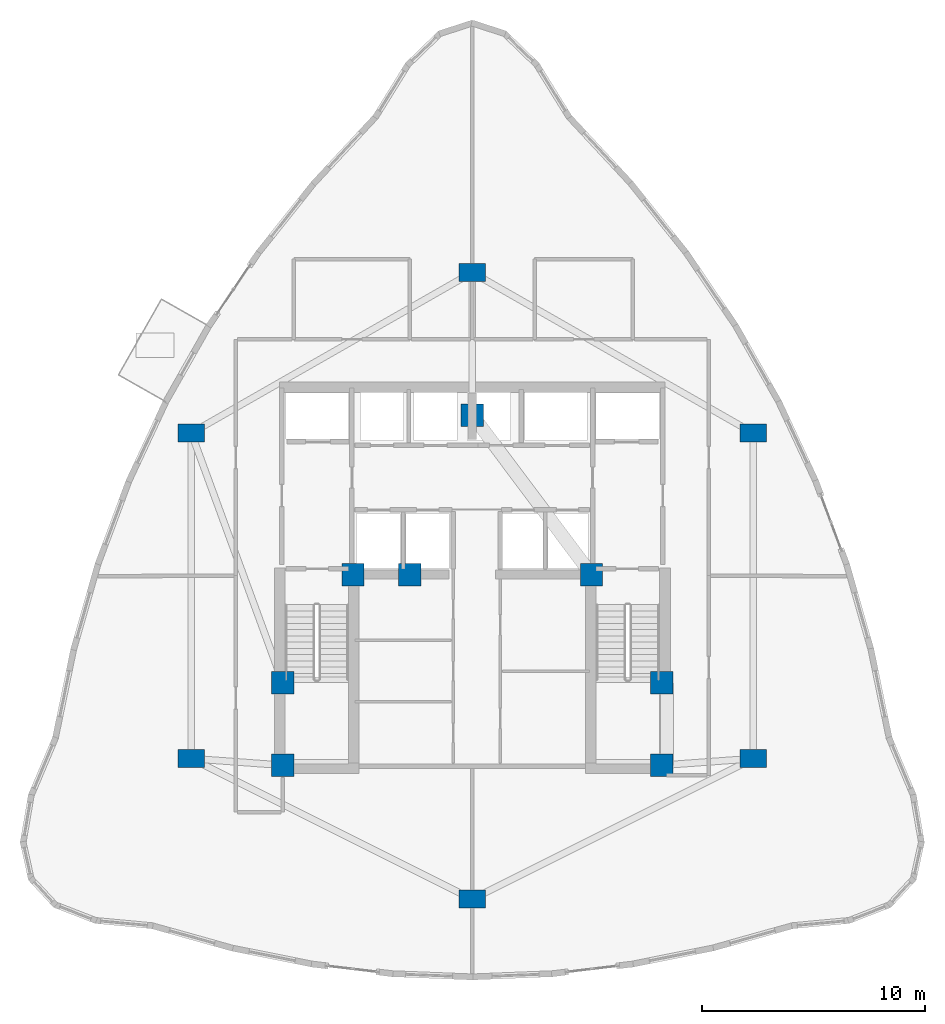
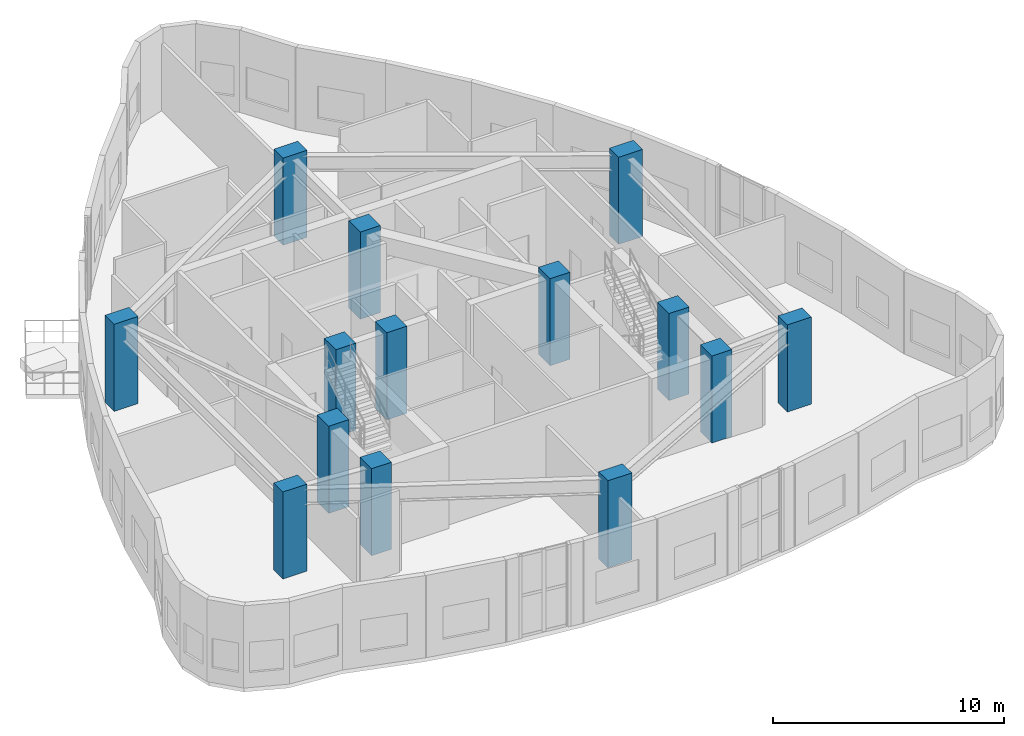
# One storey, part 1 of 14: 14 columns.
"""IFC4 building model written with IfcOpenShell, lengths in metres."""

from ifc_helpers import new_model, si_unit, direction, frame, origin, origin_2d, place, context, subcontext, project, spatial, rectangle, extrude, material, material_profile, profile_set, type_object, element, save


model = new_model("IFC4")

# Units and contexts
model_context = context("Model", 3, precision=1e-05, world=origin(), true_north=direction((0.0, 1.0)))
body_context = subcontext(model_context, "Body", "Model", "MODEL_VIEW")
ifc_project = project(units=[si_unit("LENGTHUNIT", "METRE"), si_unit("AREAUNIT", "SQUARE_METRE"), si_unit("VOLUMEUNIT", "CUBIC_METRE"), si_unit("PLANEANGLEUNIT", "RADIAN"), si_unit("MASSUNIT", "GRAM", prefix="KILO")], contexts=[model_context])

# Site, building, storey
site_placement = place(None, origin())
site = spatial("IfcSite", under=ifc_project, at=site_placement, CompositionType="ELEMENT")
building_placement = place(site_placement, origin())
building = spatial("IfcBuilding", under=site, at=building_placement, Name="Miruveldt Soraemaru", CompositionType="ELEMENT")
storey_placement = place(building_placement, frame((0.0, 0.0, 189.800048828125)))
storey = spatial("IfcBuildingStorey", under=building, at=storey_placement, Name="L52", CompositionType="ELEMENT", Elevation=189.800048828125)

# Columns
ifc_material_1 = material(Name="Concrete C60/75 (60 MPa)", Category="concrete")
ifc_material_profile_1 = material_profile(ifc_material_1, rectangle(XDim=1.0, YDim=1.0, at=origin_2d()), Name="Concrete C60/75 (60 MPa)", Category="concrete")
ifc_profile_set_1 = profile_set([ifc_material_profile_1], Name="Concrete C60/75 (60 MPa)")
column_type_1 = type_object("IfcColumnType", Name="COL-CORE-1000", PredefinedType="COLUMN", material=ifc_profile_set_1)
for number, where, z_axis, x_axis, name in (
    (1, (35.5, 35.5, 0.0), (0.0, 0.0, 1.0), (1.0, 0.0, 0.0), "L52 Structural Column CC1"),
    (2, (38.64990234375, 44.050048828125, 0.0), (0.0, 0.0, 1.0), (1.0, 0.0, 0.0), "L52 Structural Column CC2"),
    (3, (52.5, 35.5, 0.0), (0.0, 0.0, 1.0), (1.0, 0.0, 0.0), "L52 Structural Column CC3"),
    (4, (52.5, 39.199951171875, 0.0), (0.0, 0.0, 1.0), (1.0, 0.0, 0.0), "L52 Structural Column CC4"),
    (5, (49.35009765625, 44.050048828125, 0.0), (0.0, 0.0, 1.0), (1.0, 0.0, 0.0), "L52 Structural Column CC5"),
    (6, (44.0, 51.199951171875, 0.0), (0.0, 0.0, 1.0), (1.0, 0.0, 0.0), "L52 Structural Column CC6"),
    (7, (35.5, 39.199951171875, 0.0), (0.0, 0.0, 1.0), (1.0, 0.0, 0.0), "L52 Structural Column CC7"),
    (8, (41.199951171875, 44.050048828125, 0.0), (0.0, 0.0, 1.0), (1.0, 0.0, 0.0), "L52 Structural Column CC8"),
):
    element("IfcColumn", number, at=place(storey_placement, frame(where, z_axis=z_axis, x_axis=x_axis)), inside=storey, type_object=column_type_1, Name=name, PredefinedType="COLUMN", context=body_context, shape_type="SweptSolid", body=[
        extrude(rectangle(XDim=1.0, YDim=1.0, at=origin_2d()), origin(), (0.0, 0.0, 1.0), 4.599853515625),
    ])
ifc_material_2 = material(Name="Concrete C70/85 (70 MPa)", Category="concrete")
ifc_material_profile_2 = material_profile(ifc_material_2, rectangle(XDim=1.199951171875, YDim=0.800048828125, at=origin_2d()), Name="Concrete C70/85 (70 MPa)", Category="concrete")
ifc_profile_set_2 = profile_set([ifc_material_profile_2], Name="Concrete C70/85 (70 MPa)")
column_type_2 = type_object("IfcColumnType", Name="COL-TW-Z2", PredefinedType="COLUMN", material=ifc_profile_set_2)
for number, where, z_axis, x_axis, name in (
    (9, (44.0, 57.60009765625, 0.0), (0.0, 0.0, 1.0), (1.0, 0.0, 0.0), "L52 Structural Column IR01"),
    (10, (56.60009765625, 50.39990234375, 0.0), (0.0, 0.0, 1.0), (1.0, 0.0, 0.0), "L52 Structural Column IR02"),
    (11, (56.60009765625, 35.800048828125, 0.0), (0.0, 0.0, 1.0), (1.0, 0.0, 0.0), "L52 Structural Column IR03"),
    (12, (44.0, 29.5, 0.0), (0.0, 0.0, 1.0), (1.0, 0.0, 0.0), "L52 Structural Column IR04"),
    (13, (31.39990234375, 35.800048828125, 0.0), (0.0, 0.0, 1.0), (1.0, 0.0, 0.0), "L52 Structural Column IR05"),
    (14, (31.39990234375, 50.39990234375, 0.0), (0.0, 0.0, 1.0), (1.0, 0.0, 0.0), "L52 Structural Column IR06"),
):
    element("IfcColumn", number, at=place(storey_placement, frame(where, z_axis=z_axis, x_axis=x_axis)), inside=storey, type_object=column_type_2, Name=name, PredefinedType="COLUMN", context=body_context, shape_type="SweptSolid", body=[
        extrude(rectangle(XDim=1.199951171875, YDim=0.800048828125, at=origin_2d()), origin(), (0.0, 0.0, 1.0), 4.599853515625),
    ])

save(model, "model.ifc")
